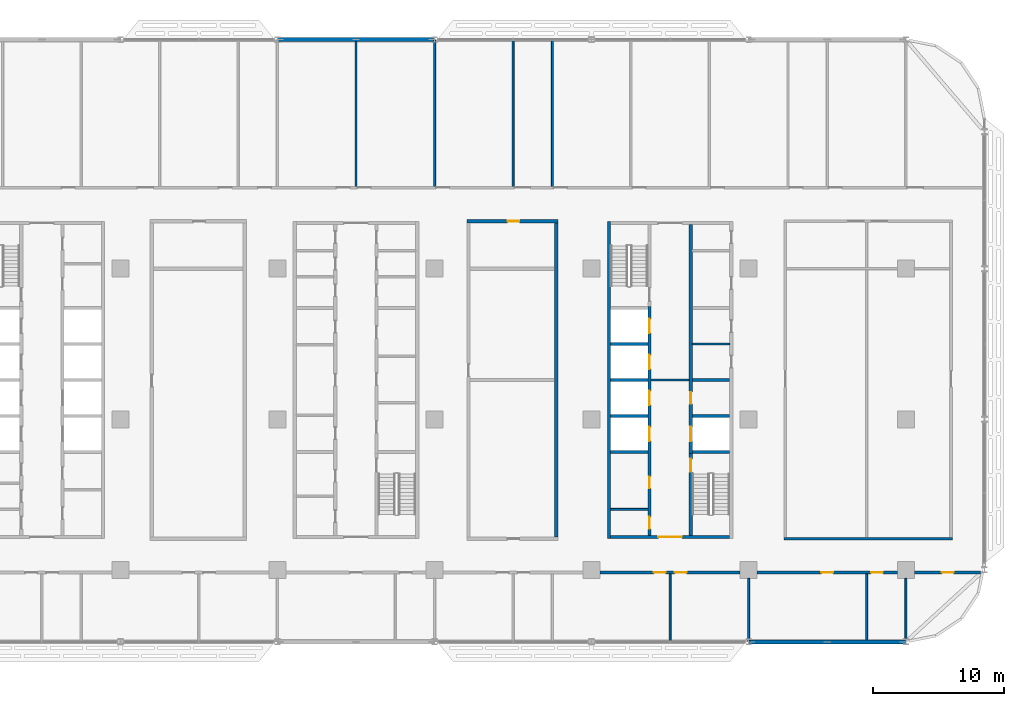
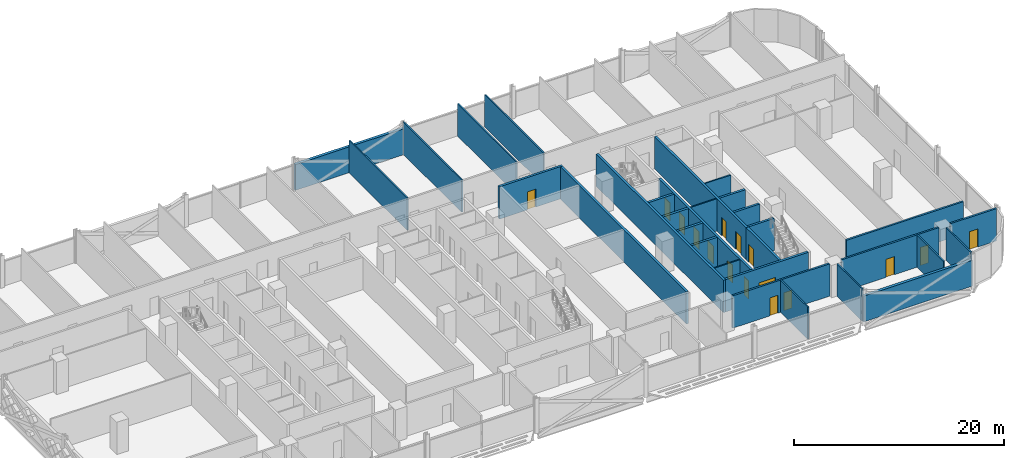
# One storey, part 17 of 29: 31 walls, 16 doors, 16 openings.
"""IFC4 building model written with IfcOpenShell, lengths in metres."""

from ifc_helpers import new_model, si_unit, direction, frame, frame_2d, origin, place, context, subcontext, project, spatial, rectangle, extrude, material, layer, layer_set, type_object, element, fill, save


model = new_model("IFC4")

# Units and contexts
model_context = context("Model", 3, precision=1e-05, world=origin(), true_north=direction((0.0, 1.0)))
body_context = subcontext(model_context, "Body", "Model", "MODEL_VIEW")
ifc_project = project(units=[si_unit("LENGTHUNIT", "METRE"), si_unit("AREAUNIT", "SQUARE_METRE"), si_unit("VOLUMEUNIT", "CUBIC_METRE"), si_unit("PLANEANGLEUNIT", "RADIAN"), si_unit("MASSUNIT", "GRAM", prefix="KILO")], contexts=[model_context])

# Site, building, storey
site_placement = place(None, origin())
site = spatial("IfcSite", under=ifc_project, at=site_placement, CompositionType="ELEMENT")
building_placement = place(site_placement, origin())
building = spatial("IfcBuilding", under=site, at=building_placement, Name="Mahtab Terrace Research Tower", CompositionType="ELEMENT")
storey_placement = place(building_placement, frame((0.0, 0.0, 142.5)))
storey = spatial("IfcBuildingStorey", under=building, at=storey_placement, Name="L33", CompositionType="ELEMENT", Elevation=142.5)

# Walls
ifc_material_1 = material(Name="Gypsum board partition")
ifc_layer_1 = layer(ifc_material_1, 0.14990234375)
ifc_layer_set_1 = layer_set([ifc_layer_1], Name="Core partition 150")
wall_type_1 = type_object("IfcWallType", Name="Core partition 150", PredefinedType="PARTITIONING", material=ifc_layer_set_1)
wall_1_placement = place(storey_placement, frame((22.550048828125, 3.0, 0.0), z_axis=(0.0, 0.0, 1.0), x_axis=(1.0, 0.0, 0.0)))
element("IfcWall", 1, at=wall_1_placement, inside=storey, type_object=wall_type_1, Name="Core wall C ffl", PredefinedType="PARTITIONING", context=body_context, shape_type="SweptSolid", body=[
    extrude(rectangle(XDim=2.89990234375, YDim=0.14990234375, at=frame_2d((1.449951171875, 0.0))), origin(), (0.0, 0.0, 1.0), 3.760009765625),
])
for number, where, z_axis, x_axis, name in (
    (2, (25.699951171875, 5.75, 0.0), (0.0, 0.0, 1.0), (1.0, 0.0, 0.0), "Core wall C pEL275"),
    (3, (19.449951171875, -6.875, 0.0), (0.0, 0.0, 1.0), (1.0, 0.0, 0.0), "Core wall C pWS-988"),
):
    element("IfcWall", number, at=place(storey_placement, frame(where, z_axis=z_axis, x_axis=x_axis)), inside=storey, type_object=wall_type_1, Name=name, PredefinedType="PARTITIONING", context=body_context, shape_type="SweptSolid", body=[
        extrude(rectangle(XDim=2.85009765625, YDim=0.14990234375, at=frame_2d((1.425048828125, 0.0))), origin(), (0.0, 0.0, 1.0), 3.760009765625),
    ])
ifc_material_2 = material(Name="Concrete C70/85", Category="concrete")
ifc_layer_2 = layer(ifc_material_2, 0.25)
ifc_layer_set_2 = layer_set([ifc_layer_2], Name="Core wall 250")
wall_type_2 = type_object("IfcWallType", Name="Core wall 250", PredefinedType="SOLIDWALL", material=ifc_layer_set_2)
wall_2_placement = place(storey_placement, frame((19.324951171875, 15.125, 0.0), z_axis=(0.0, 0.0, 1.0), x_axis=(0.0, -1.0, 0.0)))
element("IfcWall", 4, at=wall_2_placement, inside=storey, type_object=wall_type_2, Name="Core wall C outerW", PredefinedType="SOLIDWALL", context=body_context, shape_type="SweptSolid", body=[
    extrude(rectangle(XDim=24.25, YDim=0.25, at=frame_2d((12.125, 0.0))), origin(), (0.0, 0.0, 1.0), 3.760009765625),
])

# Wall, opening, door
wall_3_placement = place(storey_placement, frame((28.550048828125, -9.0, 0.0), z_axis=(0.0, 0.0, 1.0), x_axis=(-1.0, 0.0, 0.0)))
wall_3 = element("IfcWall", 5, at=wall_3_placement, inside=storey, type_object=wall_type_2, Name="Core wall C endS", PredefinedType="SOLIDWALL", context=body_context, shape_type="SweptSolid", body=[
    extrude(rectangle(XDim=9.10009765625, YDim=0.25, at=frame_2d((4.550048828125, 0.0))), origin(), (0.0, 0.0, 1.0), 3.760009765625),
])
opening_1_placement = place(wall_3_placement, frame((3.64990234375, 0.0, 0.0)))
opening_1 = element("IfcOpeningElement", 6, at=opening_1_placement, cuts=wall_3, Name="Opening C-S1", PredefinedType="OPENING", context=body_context, shape_type="SweptSolid", body=[
    extrude(rectangle(XDim=1.800048828125, YDim=2.10009765625, at=frame_2d((0.89990234375, 1.050048828125))), frame((0.0, 0.135009765625, 0.0), z_axis=(0.0, -1.0, 0.0), x_axis=(1.0, 0.0, 0.0)), (0.0, 0.0, 1.0), 0.27001953125),
])
ifc_material_3 = material(Name="Steel fire door", Category="steel")
door_type_1 = type_object("IfcDoorType", Name="Lobby double door 1800x2100 1 HR", OperationType="DOUBLE_DOOR_SINGLE_SWING", PredefinedType="DOOR", material=ifc_material_3)
door_1_placement = place(opening_1_placement, origin())
door_1 = element("IfcDoor", 7, at=door_1_placement, inside=storey, type_object=door_type_1, Name="Core entrance door C S", OperationType="DOUBLE_DOOR_SINGLE_SWING", OverallHeight=2.10009765625, OverallWidth=1.800048828125, PredefinedType="DOOR", context=body_context, shape_type="SweptSolid", body=[
    extrude(rectangle(XDim=1.800048828125, YDim=2.10009765625, at=frame_2d((0.89990234375, 1.050048828125))), frame((0.0, 0.02490234375, 0.0), z_axis=(0.0, -1.0, 0.0), x_axis=(1.0, 0.0, 0.0)), (0.0, 0.0, 1.0), 0.050048828125),
])
fill(opening_1, door_1)

# Wall, openings, doors
wall_4_placement = place(storey_placement, frame((22.425048828125, -8.875, 0.0), z_axis=(0.0, 0.0, 1.0), x_axis=(0.0, 1.0, 0.0)))
wall_4 = element("IfcWall", 8, at=wall_4_placement, inside=storey, type_object=wall_type_2, Name="Core wall C innerWSL", PredefinedType="SOLIDWALL", context=body_context, shape_type="SweptSolid", body=[
    extrude(rectangle(XDim=17.5, YDim=0.25, at=frame_2d((8.75, 0.0))), origin(), (0.0, 0.0, 1.0), 3.760009765625),
])
opening_2_placement = place(wall_4_placement, frame((7.199951171875, 0.0, 0.0)))
opening_2 = element("IfcOpeningElement", 9, at=opening_2_placement, cuts=wall_4, Name="Opening LD17-L33", PredefinedType="OPENING", context=body_context, shape_type="SweptSolid", body=[
    extrude(rectangle(XDim=1.10009765625, YDim=2.10009765625, at=frame_2d((0.550048828125, 1.050048828125))), frame((0.0, 0.135009765625, 0.0), z_axis=(0.0, -1.0, 0.0), x_axis=(1.0, 0.0, 0.0)), (0.0, 0.0, 1.0), 0.27001953125),
])
opening_3_placement = place(wall_4_placement, frame((9.949951171875, 0.0, 0.0)))
opening_3 = element("IfcOpeningElement", 10, at=opening_3_placement, cuts=wall_4, Name="Opening LD18-L33", PredefinedType="OPENING", context=body_context, shape_type="SweptSolid", body=[
    extrude(rectangle(XDim=1.10009765625, YDim=2.10009765625, at=frame_2d((0.550048828125, 1.050048828125))), frame((0.0, 0.135009765625, 0.0), z_axis=(0.0, -1.0, 0.0), x_axis=(1.0, 0.0, 0.0)), (0.0, 0.0, 1.0), 0.27001953125),
])
opening_4_placement = place(wall_4_placement, frame((12.699951171875, 0.0, 0.0)))
opening_4 = element("IfcOpeningElement", 11, at=opening_4_placement, cuts=wall_4, Name="Opening LD19-L33", PredefinedType="OPENING", context=body_context, shape_type="SweptSolid", body=[
    extrude(rectangle(XDim=1.10009765625, YDim=2.10009765625, at=frame_2d((0.550048828125, 1.050048828125))), frame((0.0, 0.135009765625, 0.0), z_axis=(0.0, -1.0, 0.0), x_axis=(1.0, 0.0, 0.0)), (0.0, 0.0, 1.0), 0.27001953125),
])
opening_5_placement = place(wall_4_placement, frame((15.449951171875, 0.0, 0.0)))
opening_5 = element("IfcOpeningElement", 12, at=opening_5_placement, cuts=wall_4, Name="Opening LD20-L33", PredefinedType="OPENING", context=body_context, shape_type="SweptSolid", body=[
    extrude(rectangle(XDim=1.10009765625, YDim=2.10009765625, at=frame_2d((0.550048828125, 1.050048828125))), frame((0.0, 0.135009765625, 0.0), z_axis=(0.0, -1.0, 0.0), x_axis=(1.0, 0.0, 0.0)), (0.0, 0.0, 1.0), 0.27001953125),
])
opening_6_placement = place(wall_4_placement, frame((0.512451171875, 0.0, 0.0)))
opening_6 = element("IfcOpeningElement", 13, at=opening_6_placement, cuts=wall_4, Name="Opening C-R4", PredefinedType="OPENING", context=body_context, shape_type="SweptSolid", body=[
    extrude(rectangle(XDim=0.89990234375, YDim=2.10009765625, at=frame_2d((0.449951171875, 1.050048828125))), frame((0.0, 0.135009765625, 0.0), z_axis=(0.0, -1.0, 0.0), x_axis=(1.0, 0.0, 0.0)), (0.0, 0.0, 1.0), 0.27001953125),
])
opening_7_placement = place(wall_4_placement, frame((3.58740234375, 0.0, 0.0)))
opening_7 = element("IfcOpeningElement", 14, at=opening_7_placement, cuts=wall_4, Name="Opening C-R5", PredefinedType="OPENING", context=body_context, shape_type="SweptSolid", body=[
    extrude(rectangle(XDim=0.89990234375, YDim=2.10009765625, at=frame_2d((0.449951171875, 1.050048828125))), frame((0.0, 0.135009765625, 0.0), z_axis=(0.0, -1.0, 0.0), x_axis=(1.0, 0.0, 0.0)), (0.0, 0.0, 1.0), 0.27001953125),
])
ifc_material_4 = material(Name="Stainless steel AISI 304", Category="steel")
door_type_2 = type_object("IfcDoorType", Name="Landing door 1100x2100", OperationType="DOUBLE_DOOR_SLIDING", PredefinedType="DOOR", material=ifc_material_4)
door_2_placement = place(opening_2_placement, origin())
door_2 = element("IfcDoor", 15, at=door_2_placement, inside=storey, type_object=door_type_2, Name="Landing door SV1 L33", OperationType="DOUBLE_DOOR_SLIDING", OverallHeight=2.10009765625, OverallWidth=1.10009765625, PredefinedType="DOOR", context=body_context, shape_type="SweptSolid", body=[
    extrude(rectangle(XDim=1.10009765625, YDim=2.10009765625, at=frame_2d((0.550048828125, 1.050048828125))), frame((0.0, 0.02490234375, 0.0), z_axis=(0.0, -1.0, 0.0), x_axis=(1.0, 0.0, 0.0)), (0.0, 0.0, 1.0), 0.050048828125),
])
fill(opening_2, door_2)
door_3_placement = place(opening_3_placement, origin())
door_3 = element("IfcDoor", 16, at=door_3_placement, inside=storey, type_object=door_type_2, Name="Landing door SV2 L33", OperationType="DOUBLE_DOOR_SLIDING", OverallHeight=2.10009765625, OverallWidth=1.10009765625, PredefinedType="DOOR", context=body_context, shape_type="SweptSolid", body=[
    extrude(rectangle(XDim=1.10009765625, YDim=2.10009765625, at=frame_2d((0.550048828125, 1.050048828125))), frame((0.0, 0.02490234375, 0.0), z_axis=(0.0, -1.0, 0.0), x_axis=(1.0, 0.0, 0.0)), (0.0, 0.0, 1.0), 0.050048828125),
])
fill(opening_3, door_3)
door_4_placement = place(opening_4_placement, origin())
door_4 = element("IfcDoor", 17, at=door_4_placement, inside=storey, type_object=door_type_2, Name="Landing door FF1 L33", OperationType="DOUBLE_DOOR_SLIDING", OverallHeight=2.10009765625, OverallWidth=1.10009765625, PredefinedType="DOOR", context=body_context, shape_type="SweptSolid", body=[
    extrude(rectangle(XDim=1.10009765625, YDim=2.10009765625, at=frame_2d((0.550048828125, 1.050048828125))), frame((0.0, 0.02490234375, 0.0), z_axis=(0.0, -1.0, 0.0), x_axis=(1.0, 0.0, 0.0)), (0.0, 0.0, 1.0), 0.050048828125),
])
fill(opening_4, door_4)
door_5_placement = place(opening_5_placement, origin())
door_5 = element("IfcDoor", 18, at=door_5_placement, inside=storey, type_object=door_type_2, Name="Landing door FF2 L33", OperationType="DOUBLE_DOOR_SLIDING", OverallHeight=2.10009765625, OverallWidth=1.10009765625, PredefinedType="DOOR", context=body_context, shape_type="SweptSolid", body=[
    extrude(rectangle(XDim=1.10009765625, YDim=2.10009765625, at=frame_2d((0.550048828125, 1.050048828125))), frame((0.0, 0.02490234375, 0.0), z_axis=(0.0, -1.0, 0.0), x_axis=(1.0, 0.0, 0.0)), (0.0, 0.0, 1.0), 0.050048828125),
])
fill(opening_5, door_5)
door_type_3 = type_object("IfcDoorType", Name="Room door 900x2100 1 HR", OperationType="NOTDEFINED", PredefinedType="DOOR", material=ifc_material_3)
door_6_placement = place(opening_6_placement, origin())
door_6 = element("IfcDoor", 19, at=door_6_placement, inside=storey, type_object=door_type_3, Name="Accessible WC door", OperationType="SINGLE_SWING_RIGHT", OverallHeight=2.10009765625, OverallWidth=0.89990234375, PredefinedType="DOOR", context=body_context, shape_type="SweptSolid", body=[
    extrude(rectangle(XDim=0.89990234375, YDim=2.10009765625, at=frame_2d((0.449951171875, 1.050048828125))), frame((0.0, 0.02490234375, 0.0), z_axis=(0.0, -1.0, 0.0), x_axis=(1.0, 0.0, 0.0)), (0.0, 0.0, 1.0), 0.050048828125),
])
fill(opening_6, door_6)
door_7_placement = place(opening_7_placement, origin())
door_7 = element("IfcDoor", 20, at=door_7_placement, inside=storey, type_object=door_type_3, Name="WC block door", OperationType="SINGLE_SWING_LEFT", OverallHeight=2.10009765625, OverallWidth=0.89990234375, PredefinedType="DOOR", context=body_context, shape_type="SweptSolid", body=[
    extrude(rectangle(XDim=0.89990234375, YDim=2.10009765625, at=frame_2d((0.449951171875, 1.050048828125))), frame((0.0, 0.02490234375, 0.0), z_axis=(0.0, -1.0, 0.0), x_axis=(1.0, 0.0, 0.0)), (0.0, 0.0, 1.0), 0.050048828125),
])
fill(opening_7, door_7)

# Wall, opening, door
wall_5_placement = place(storey_placement, frame((25.574951171875, -8.875, 0.0), z_axis=(0.0, 0.0, 1.0), x_axis=(0.0, 1.0, 0.0)))
wall_5 = element("IfcWall", 21, at=wall_5_placement, inside=storey, type_object=wall_type_2, Name="Core wall C innerES", PredefinedType="SOLIDWALL", context=body_context, shape_type="SweptSolid", body=[
    extrude(rectangle(XDim=6.25, YDim=0.25, at=frame_2d((3.125, 0.0))), origin(), (0.0, 0.0, 1.0), 3.760009765625),
])
opening_8_placement = place(wall_5_placement, frame((4.85009765625, 0.0, 0.0)))
opening_8 = element("IfcOpeningElement", 22, at=opening_8_placement, cuts=wall_5, Name="Opening C-ST4", PredefinedType="OPENING", context=body_context, shape_type="SweptSolid", body=[
    extrude(rectangle(XDim=1.0, YDim=2.10009765625, at=frame_2d((0.5, 1.050048828125))), frame((0.0, 0.135009765625, 0.0), z_axis=(0.0, -1.0, 0.0), x_axis=(1.0, 0.0, 0.0)), (0.0, 0.0, 1.0), 0.27001953125),
])
door_type_4 = type_object("IfcDoorType", Name="Stair door 1000x2100 1.5 HR", OperationType="NOTDEFINED", PredefinedType="DOOR", material=ifc_material_3)
door_8_placement = place(opening_8_placement, origin())
door_8 = element("IfcDoor", 23, at=door_8_placement, inside=storey, type_object=door_type_4, Name="Stair door ST4 L33", OperationType="SINGLE_SWING_LEFT", OverallHeight=2.10009765625, OverallWidth=1.0, PredefinedType="DOOR", context=body_context, shape_type="SweptSolid", body=[
    extrude(rectangle(XDim=1.0, YDim=2.10009765625, at=frame_2d((0.5, 1.050048828125))), frame((0.0, 0.02490234375, 0.0), z_axis=(0.0, -1.0, 0.0), x_axis=(1.0, 0.0, 0.0)), (0.0, 0.0, 1.0), 0.050048828125),
])
fill(opening_8, door_8)

# Wall, openings, doors
wall_6_placement = place(storey_placement, frame((25.574951171875, 14.875, 0.0), z_axis=(0.0, 0.0, 1.0), x_axis=(0.0, -1.0, 0.0)))
wall_6 = element("IfcWall", 24, at=wall_6_placement, inside=storey, type_object=wall_type_2, Name="Core wall C innerELN", PredefinedType="SOLIDWALL", context=body_context, shape_type="SweptSolid", body=[
    extrude(rectangle(XDim=17.5, YDim=0.25, at=frame_2d((8.75, 0.0))), origin(), (0.0, 0.0, 1.0), 3.760009765625),
])
opening_9_placement = place(wall_6_placement, frame((15.449951171875, 0.0, 0.0)))
opening_9 = element("IfcOpeningElement", 25, at=opening_9_placement, cuts=wall_6, Name="Opening LD21-L33", PredefinedType="OPENING", context=body_context, shape_type="SweptSolid", body=[
    extrude(rectangle(XDim=1.10009765625, YDim=2.10009765625, at=frame_2d((0.550048828125, 1.050048828125))), frame((0.0, 0.135009765625, 0.0), z_axis=(0.0, -1.0, 0.0), x_axis=(1.0, 0.0, 0.0)), (0.0, 0.0, 1.0), 0.27001953125),
])
opening_10_placement = place(wall_6_placement, frame((12.800048828125, 0.0, 0.0)))
opening_10 = element("IfcOpeningElement", 26, at=opening_10_placement, cuts=wall_6, Name="Opening C-R1", PredefinedType="OPENING", context=body_context, shape_type="SweptSolid", body=[
    extrude(rectangle(XDim=0.89990234375, YDim=2.10009765625, at=frame_2d((0.449951171875, 1.050048828125))), frame((0.0, 0.135009765625, 0.0), z_axis=(0.0, -1.0, 0.0), x_axis=(1.0, 0.0, 0.0)), (0.0, 0.0, 1.0), 0.27001953125),
])
door_9_placement = place(opening_9_placement, origin())
door_9 = element("IfcDoor", 27, at=door_9_placement, inside=storey, type_object=door_type_2, Name="Landing door SV3 L33", OperationType="DOUBLE_DOOR_SLIDING", OverallHeight=2.10009765625, OverallWidth=1.10009765625, PredefinedType="DOOR", context=body_context, shape_type="SweptSolid", body=[
    extrude(rectangle(XDim=1.10009765625, YDim=2.10009765625, at=frame_2d((0.550048828125, 1.050048828125))), frame((0.0, 0.02490234375, 0.0), z_axis=(0.0, -1.0, 0.0), x_axis=(1.0, 0.0, 0.0)), (0.0, 0.0, 1.0), 0.050048828125),
])
fill(opening_9, door_9)
door_10_placement = place(opening_10_placement, origin())
door_10 = element("IfcDoor", 28, at=door_10_placement, inside=storey, type_object=door_type_3, Name="Plant room door", OperationType="SINGLE_SWING_LEFT", OverallHeight=2.10009765625, OverallWidth=0.89990234375, PredefinedType="DOOR", context=body_context, shape_type="SweptSolid", body=[
    extrude(rectangle(XDim=0.89990234375, YDim=2.10009765625, at=frame_2d((0.449951171875, 1.050048828125))), frame((0.0, 0.02490234375, 0.0), z_axis=(0.0, -1.0, 0.0), x_axis=(1.0, 0.0, 0.0)), (0.0, 0.0, 1.0), 0.050048828125),
])
fill(opening_10, door_10)

# Walls
for number, where, z_axis, x_axis, name in (
    (29, (19.449951171875, -2.5, 0.0), (0.0, 0.0, 1.0), (1.0, 0.0, 0.0), "Core wall C divW0"),
    (30, (19.449951171875, 0.25, 0.0), (0.0, 0.0, 1.0), (1.0, 0.0, 0.0), "Core wall C divW1"),
    (31, (19.449951171875, 3.0, 0.0), (0.0, 0.0, 1.0), (1.0, 0.0, 0.0), "Core wall C divW2"),
    (32, (19.449951171875, 5.75, 0.0), (0.0, 0.0, 1.0), (1.0, 0.0, 0.0), "Core wall C divW3"),
    (33, (25.699951171875, -2.5, 0.0), (0.0, 0.0, 1.0), (1.0, 0.0, 0.0), "Core wall C divE0"),
    (34, (25.699951171875, 0.25, 0.0), (0.0, 0.0, 1.0), (1.0, 0.0, 0.0), "Core wall C divE1"),
    (35, (25.699951171875, 3.0, 0.0), (0.0, 0.0, 1.0), (1.0, 0.0, 0.0), "Core wall C divE2"),
):
    element("IfcWall", number, at=place(storey_placement, frame(where, z_axis=z_axis, x_axis=x_axis)), inside=storey, type_object=wall_type_2, Name=name, PredefinedType="SOLIDWALL", context=body_context, shape_type="SweptSolid", body=[
        extrude(rectangle(XDim=2.85009765625, YDim=0.25, at=frame_2d((1.425048828125, 0.0))), origin(), (0.0, 0.0, 1.0), 3.760009765625),
    ])
ifc_material_5 = material(Name="Black aluminium cladding panel", Category="aluminium")
ifc_layer_3 = layer(ifc_material_5, 0.300048828125)
ifc_layer_set_3 = layer_set([ifc_layer_3], Name="Opaque facade wall 300")
wall_type_3 = type_object("IfcWallType", Name="Opaque facade wall 300", PredefinedType="NOTDEFINED", material=ifc_layer_set_3)
for number, where, z_axis, x_axis, name in (
    (36, (5.982177734375, 29.0, 0.0), (0.0, 0.0, 1.0), (-1.0, 0.0, 0.0), "Opaque facade wall L33 N6"),
    (37, (30.017822265625, -17.0, 0.0), (0.0, 0.0, 1.0), (1.0, 0.0, 0.0), "Opaque facade wall L33 S30"),
):
    element("IfcWall", number, at=place(storey_placement, frame(where, z_axis=z_axis, x_axis=x_axis)), inside=storey, type_object=wall_type_3, Name=name, PredefinedType="NOTDEFINED", context=body_context, shape_type="SweptSolid", body=[
        extrude(rectangle(XDim=11.96435546875, YDim=0.300048828125, at=frame_2d((5.982177734375, 0.0))), origin(), (0.0, 0.0, 1.0), 3.003173828125),
    ])

# Wall, opening, door
ifc_material_6 = material(Name="Masonry control area wall", Category="masonry")
ifc_layer_4 = layer(ifc_material_6, 0.25)
ifc_layer_set_4 = layer_set([ifc_layer_4], Name="WALL CONTROL AREA 250")
wall_type_4 = type_object("IfcWallType", Name="WALL CONTROL AREA 250", PredefinedType="PARTITIONING", material=ifc_layer_set_4)
wall_7_placement = place(storey_placement, frame((8.47509765625, 15.125, 0.0), z_axis=(0.0, 0.0, 1.0), x_axis=(1.0, 0.0, 0.0)))
wall_7 = element("IfcWall", 38, at=wall_7_placement, inside=storey, type_object=wall_type_4, Name="L33-W024", PredefinedType="PARTITIONING", context=body_context, shape_type="SweptSolid", body=[
    extrude(rectangle(XDim=6.949951171875, YDim=0.25, at=frame_2d((3.47509765625, 0.0))), origin(), (0.0, 0.0, 1.0), 3.760009765625),
])
opening_11_placement = place(wall_7_placement, frame((3.10009765625, 0.0, 0.0)))
opening_11 = element("IfcOpeningElement", 39, at=opening_11_placement, cuts=wall_7, Name="Opening L33-126", PredefinedType="OPENING", context=body_context, shape_type="SweptSolid", body=[
    extrude(rectangle(XDim=0.89990234375, YDim=2.10009765625, at=frame_2d((0.449951171875, 1.050048828125))), frame((0.0, 0.135009765625, 0.0), z_axis=(0.0, -1.0, 0.0), x_axis=(1.0, 0.0, 0.0)), (0.0, 0.0, 1.0), 0.27001953125),
])
ifc_material_7 = material(Name="Timber door leaf in steel frame", Category="steel")
door_type_5 = type_object("IfcDoorType", Name="DOOR 0900X2100 FD120", OperationType="SINGLE_SWING_LEFT", PredefinedType="DOOR", material=ifc_material_7)
door_11_placement = place(opening_11_placement, origin())
door_11 = element("IfcDoor", 40, at=door_11_placement, inside=storey, type_object=door_type_5, Name="Door L33-126", OperationType="SINGLE_SWING_LEFT", OverallHeight=2.10009765625, OverallWidth=0.89990234375, PredefinedType="DOOR", context=body_context, shape_type="SweptSolid", body=[
    extrude(rectangle(XDim=0.89990234375, YDim=2.10009765625, at=frame_2d((0.449951171875, 1.050048828125))), frame((0.0, 0.02490234375, 0.0), z_axis=(0.0, -1.0, 0.0), x_axis=(1.0, 0.0, 0.0)), (0.0, 0.0, 1.0), 0.050048828125),
])
fill(opening_11, door_11)

# Wall
wall_8_placement = place(storey_placement, frame((15.300048828125, -9.0, 0.0), z_axis=(0.0, 0.0, 1.0), x_axis=(0.0, 1.0, 0.0)))
element("IfcWall", 41, at=wall_8_placement, inside=storey, type_object=wall_type_4, Name="L33-W054", PredefinedType="PARTITIONING", context=body_context, shape_type="SweptSolid", body=[
    extrude(rectangle(XDim=24.0, YDim=0.25, at=frame_2d((12.0, 0.0))), origin(), (0.0, 0.0, 1.0), 3.760009765625),
])

# Wall, openings, doors
ifc_material_8 = material(Name="Gypsum board corridor wall on steel studs", Category="steel")
ifc_layer_5 = layer(ifc_material_8, 0.199951171875)
ifc_layer_set_5 = layer_set([ifc_layer_5], Name="WALL CORRIDOR 200")
wall_type_5 = type_object("IfcWallType", Name="WALL CORRIDOR 200", PredefinedType="PARTITIONING", material=ifc_layer_set_5)
wall_9_placement = place(storey_placement, frame((18.64990234375, -11.699951171875, 0.0), z_axis=(0.0, 0.0, 1.0), x_axis=(1.0, 0.0, 0.0)))
wall_9 = element("IfcWall", 42, at=wall_9_placement, inside=storey, type_object=wall_type_5, Name="L33-W007", PredefinedType="PARTITIONING", context=body_context, shape_type="SweptSolid", body=[
    extrude(rectangle(XDim=10.7001953125, YDim=0.199951171875, at=frame_2d((5.35009765625, 0.0))), origin(), (0.0, 0.0, 1.0), 3.760009765625),
])
opening_12_placement = place(wall_9_placement, frame((4.10009765625, 0.0, 0.0)))
opening_12 = element("IfcOpeningElement", 43, at=opening_12_placement, cuts=wall_9, Name="Opening L33-112", PredefinedType="OPENING", context=body_context, shape_type="SweptSolid", body=[
    extrude(rectangle(XDim=0.89990234375, YDim=2.10009765625, at=frame_2d((0.449951171875, 1.050048828125))), frame((0.0, 0.10986328125, 0.0), z_axis=(0.0, -1.0, 0.0), x_axis=(1.0, 0.0, 0.0)), (0.0, 0.0, 1.0), 0.219970703125),
])
opening_13_placement = place(wall_9_placement, frame((5.699951171875, 0.0, 0.0)))
opening_13 = element("IfcOpeningElement", 44, at=opening_13_placement, cuts=wall_9, Name="Opening L33-113", PredefinedType="OPENING", context=body_context, shape_type="SweptSolid", body=[
    extrude(rectangle(XDim=0.89990234375, YDim=2.10009765625, at=frame_2d((0.449951171875, 1.050048828125))), frame((0.0, 0.10986328125, 0.0), z_axis=(0.0, -1.0, 0.0), x_axis=(1.0, 0.0, 0.0)), (0.0, 0.0, 1.0), 0.219970703125),
])
door_type_6 = type_object("IfcDoorType", Name="DOOR 0900X2100 FD30S", OperationType="SINGLE_SWING_LEFT", PredefinedType="DOOR", material=ifc_material_7)
door_12_placement = place(opening_12_placement, origin())
door_12 = element("IfcDoor", 45, at=door_12_placement, inside=storey, type_object=door_type_6, Name="Door L33-112", OperationType="SINGLE_SWING_RIGHT", OverallHeight=2.10009765625, OverallWidth=0.89990234375, PredefinedType="DOOR", context=body_context, shape_type="SweptSolid", body=[
    extrude(rectangle(XDim=0.89990234375, YDim=2.10009765625, at=frame_2d((0.449951171875, 1.050048828125))), frame((0.0, 0.02490234375, 0.0), z_axis=(0.0, -1.0, 0.0), x_axis=(1.0, 0.0, 0.0)), (0.0, 0.0, 1.0), 0.050048828125),
])
fill(opening_12, door_12)
door_13_placement = place(opening_13_placement, origin())
door_13 = element("IfcDoor", 46, at=door_13_placement, inside=storey, type_object=door_type_6, Name="Door L33-113", OperationType="SINGLE_SWING_LEFT", OverallHeight=2.10009765625, OverallWidth=0.89990234375, PredefinedType="DOOR", context=body_context, shape_type="SweptSolid", body=[
    extrude(rectangle(XDim=0.89990234375, YDim=2.10009765625, at=frame_2d((0.449951171875, 1.050048828125))), frame((0.0, 0.02490234375, 0.0), z_axis=(0.0, -1.0, 0.0), x_axis=(1.0, 0.0, 0.0)), (0.0, 0.0, 1.0), 0.050048828125),
])
fill(opening_13, door_13)

wall_10_placement = place(storey_placement, frame((30.64990234375, -11.699951171875, 0.0), z_axis=(0.0, 0.0, 1.0), x_axis=(1.0, 0.0, 0.0)))
wall_10 = element("IfcWall", 47, at=wall_10_placement, inside=storey, type_object=wall_type_5, Name="L33-W008", PredefinedType="PARTITIONING", context=body_context, shape_type="SweptSolid", body=[
    extrude(rectangle(XDim=10.7001953125, YDim=0.199951171875, at=frame_2d((5.35009765625, 0.0))), origin(), (0.0, 0.0, 1.0), 3.760009765625),
])
opening_14_placement = place(wall_10_placement, frame((4.89990234375, 0.0, 0.0)))
opening_14 = element("IfcOpeningElement", 48, at=opening_14_placement, cuts=wall_10, Name="Opening L33-114", PredefinedType="OPENING", context=body_context, shape_type="SweptSolid", body=[
    extrude(rectangle(XDim=0.89990234375, YDim=2.10009765625, at=frame_2d((0.449951171875, 1.050048828125))), frame((0.0, 0.10986328125, 0.0), z_axis=(0.0, -1.0, 0.0), x_axis=(1.0, 0.0, 0.0)), (0.0, 0.0, 1.0), 0.219970703125),
])
opening_15_placement = place(wall_10_placement, frame((8.699951171875, 0.0, 0.0)))
opening_15 = element("IfcOpeningElement", 49, at=opening_15_placement, cuts=wall_10, Name="Opening L33-115", PredefinedType="OPENING", context=body_context, shape_type="SweptSolid", body=[
    extrude(rectangle(XDim=0.89990234375, YDim=2.10009765625, at=frame_2d((0.449951171875, 1.050048828125))), frame((0.0, 0.10986328125, 0.0), z_axis=(0.0, -1.0, 0.0), x_axis=(1.0, 0.0, 0.0)), (0.0, 0.0, 1.0), 0.219970703125),
])
door_14_placement = place(opening_14_placement, origin())
door_14 = element("IfcDoor", 50, at=door_14_placement, inside=storey, type_object=door_type_6, Name="Door L33-114", OperationType="SINGLE_SWING_RIGHT", OverallHeight=2.10009765625, OverallWidth=0.89990234375, PredefinedType="DOOR", context=body_context, shape_type="SweptSolid", body=[
    extrude(rectangle(XDim=0.89990234375, YDim=2.10009765625, at=frame_2d((0.449951171875, 1.050048828125))), frame((0.0, 0.02490234375, 0.0), z_axis=(0.0, -1.0, 0.0), x_axis=(1.0, 0.0, 0.0)), (0.0, 0.0, 1.0), 0.050048828125),
])
fill(opening_14, door_14)
door_15_placement = place(opening_15_placement, origin())
door_15 = element("IfcDoor", 51, at=door_15_placement, inside=storey, type_object=door_type_6, Name="Door L33-115", OperationType="SINGLE_SWING_LEFT", OverallHeight=2.10009765625, OverallWidth=0.89990234375, PredefinedType="DOOR", context=body_context, shape_type="SweptSolid", body=[
    extrude(rectangle(XDim=0.89990234375, YDim=2.10009765625, at=frame_2d((0.449951171875, 1.050048828125))), frame((0.0, 0.02490234375, 0.0), z_axis=(0.0, -1.0, 0.0), x_axis=(1.0, 0.0, 0.0)), (0.0, 0.0, 1.0), 0.050048828125),
])
fill(opening_15, door_15)

# Wall, opening, door
wall_11_placement = place(storey_placement, frame((42.64990234375, -11.699951171875, 0.0), z_axis=(0.0, 0.0, 1.0), x_axis=(1.0, 0.0, 0.0)))
wall_11 = element("IfcWall", 52, at=wall_11_placement, inside=storey, type_object=wall_type_5, Name="L33-W009", PredefinedType="PARTITIONING", context=body_context, shape_type="SweptSolid", body=[
    extrude(rectangle(XDim=5.057861328125, YDim=0.199951171875, at=frame_2d((2.52880859375, 0.0))), origin(), (0.0, 0.0, 1.0), 3.760009765625),
])
opening_16_placement = place(wall_11_placement, frame((2.10009765625, 0.0, 0.0)))
opening_16 = element("IfcOpeningElement", 53, at=opening_16_placement, cuts=wall_11, Name="Opening L33-116", PredefinedType="OPENING", context=body_context, shape_type="SweptSolid", body=[
    extrude(rectangle(XDim=0.89990234375, YDim=2.10009765625, at=frame_2d((0.449951171875, 1.050048828125))), frame((0.0, 0.10986328125, 0.0), z_axis=(0.0, -1.0, 0.0), x_axis=(1.0, 0.0, 0.0)), (0.0, 0.0, 1.0), 0.219970703125),
])
door_16_placement = place(opening_16_placement, origin())
door_16 = element("IfcDoor", 54, at=door_16_placement, inside=storey, type_object=door_type_6, Name="Door L33-116", OperationType="SINGLE_SWING_LEFT", OverallHeight=2.10009765625, OverallWidth=0.89990234375, PredefinedType="DOOR", context=body_context, shape_type="SweptSolid", body=[
    extrude(rectangle(XDim=0.89990234375, YDim=2.10009765625, at=frame_2d((0.449951171875, 1.050048828125))), frame((0.0, 0.02490234375, 0.0), z_axis=(0.0, -1.0, 0.0), x_axis=(1.0, 0.0, 0.0)), (0.0, 0.0, 1.0), 0.050048828125),
])
fill(opening_16, door_16)

# Walls
wall_12_placement = place(storey_placement, frame((32.699951171875, -9.125, 0.0), z_axis=(0.0, 0.0, 1.0), x_axis=(1.0, 0.0, 0.0)))
element("IfcWall", 55, at=wall_12_placement, inside=storey, type_object=wall_type_5, Name="L33-W013", PredefinedType="PARTITIONING", context=body_context, shape_type="SweptSolid", body=[
    extrude(rectangle(XDim=12.85009765625, YDim=0.199951171875, at=frame_2d((6.425048828125, 0.0))), origin(), (0.0, 0.0, 1.0), 3.760009765625),
])
ifc_material_9 = material(Name="Gypsum board partition on steel studs", Category="steel")
ifc_layer_6 = layer(ifc_material_9, 0.14990234375)
ifc_layer_set_6 = layer_set([ifc_layer_6], Name="WALL PARTITION 150")
wall_type_6 = type_object("IfcWallType", Name="WALL PARTITION 150", PredefinedType="PARTITIONING", material=ifc_layer_set_6)
wall_13_placement = place(storey_placement, frame((0.0, 17.800048828125, 0.0), z_axis=(0.0, 0.0, 1.0), x_axis=(0.0, 1.0, 0.0)))
element("IfcWall", 56, at=wall_13_placement, inside=storey, type_object=wall_type_6, Name="L33-W045", PredefinedType="PARTITIONING", context=body_context, shape_type="SweptSolid", body=[
    extrude(rectangle(XDim=11.050048828125, YDim=0.14990234375, at=frame_2d((5.52490234375, 0.0))), origin(), (0.0, 0.0, 1.0), 3.760009765625),
])
for number, where, z_axis, x_axis, name in (
    (57, (6.0, 17.800048828125, 0.0), (0.0, 0.0, 1.0), (0.0, 1.0, 0.0), "L33-W048"),
    (58, (12.0, 17.800048828125, 0.0), (0.0, 0.0, 1.0), (0.0, 1.0, 0.0), "L33-W051"),
    (59, (15.0, 17.800048828125, 0.0), (0.0, 0.0, 1.0), (0.0, 1.0, 0.0), "L33-W053"),
):
    element("IfcWall", number, at=place(storey_placement, frame(where, z_axis=z_axis, x_axis=x_axis)), inside=storey, type_object=wall_type_6, Name=name, PredefinedType="PARTITIONING", context=body_context, shape_type="SweptSolid", body=[
        extrude(rectangle(XDim=11.175048828125, YDim=0.14990234375, at=frame_2d((5.58740234375, 0.0))), origin(), (0.0, 0.0, 1.0), 3.760009765625),
    ])
wall_14_placement = place(storey_placement, frame((24.0, -16.97509765625, 0.0), z_axis=(0.0, 0.0, 1.0), x_axis=(0.0, 1.0, 0.0)))
element("IfcWall", 60, at=wall_14_placement, inside=storey, type_object=wall_type_6, Name="L33-W056", PredefinedType="PARTITIONING", context=body_context, shape_type="SweptSolid", body=[
    extrude(rectangle(XDim=5.175048828125, YDim=0.14990234375, at=frame_2d((2.58740234375, 0.0))), origin(), (0.0, 0.0, 1.0), 3.760009765625),
])
wall_15_placement = place(storey_placement, frame((30.0, -16.97509765625, 0.0), z_axis=(0.0, 0.0, 1.0), x_axis=(0.0, 1.0, 0.0)))
element("IfcWall", 61, at=wall_15_placement, inside=storey, type_object=wall_type_6, Name="L33-W058", PredefinedType="PARTITIONING", context=body_context, shape_type="SweptSolid", body=[
    extrude(rectangle(XDim=4.8251953125, YDim=0.14990234375, at=frame_2d((2.41259765625, 0.0))), origin(), (0.0, 0.0, 1.0), 3.760009765625),
])
wall_16_placement = place(storey_placement, frame((39.0, -16.85009765625, 0.0), z_axis=(0.0, 0.0, 1.0), x_axis=(0.0, 1.0, 0.0)))
element("IfcWall", 62, at=wall_16_placement, inside=storey, type_object=wall_type_6, Name="L33-W062", PredefinedType="PARTITIONING", context=body_context, shape_type="SweptSolid", body=[
    extrude(rectangle(XDim=5.050048828125, YDim=0.14990234375, at=frame_2d((2.52490234375, 0.0))), origin(), (0.0, 0.0, 1.0), 3.760009765625),
])
wall_17_placement = place(storey_placement, frame((42.0, -16.84716796875, 0.0), z_axis=(0.0, 0.0, 1.0), x_axis=(0.0, 1.0, 0.0)))
element("IfcWall", 63, at=wall_17_placement, inside=storey, type_object=wall_type_6, Name="L33-W064", PredefinedType="PARTITIONING", context=body_context, shape_type="SweptSolid", body=[
    extrude(rectangle(XDim=4.697265625, YDim=0.14990234375, at=frame_2d((2.3486328125, 0.0))), origin(), (0.0, 0.0, 1.0), 3.760009765625),
])

save(model, "model.ifc")
